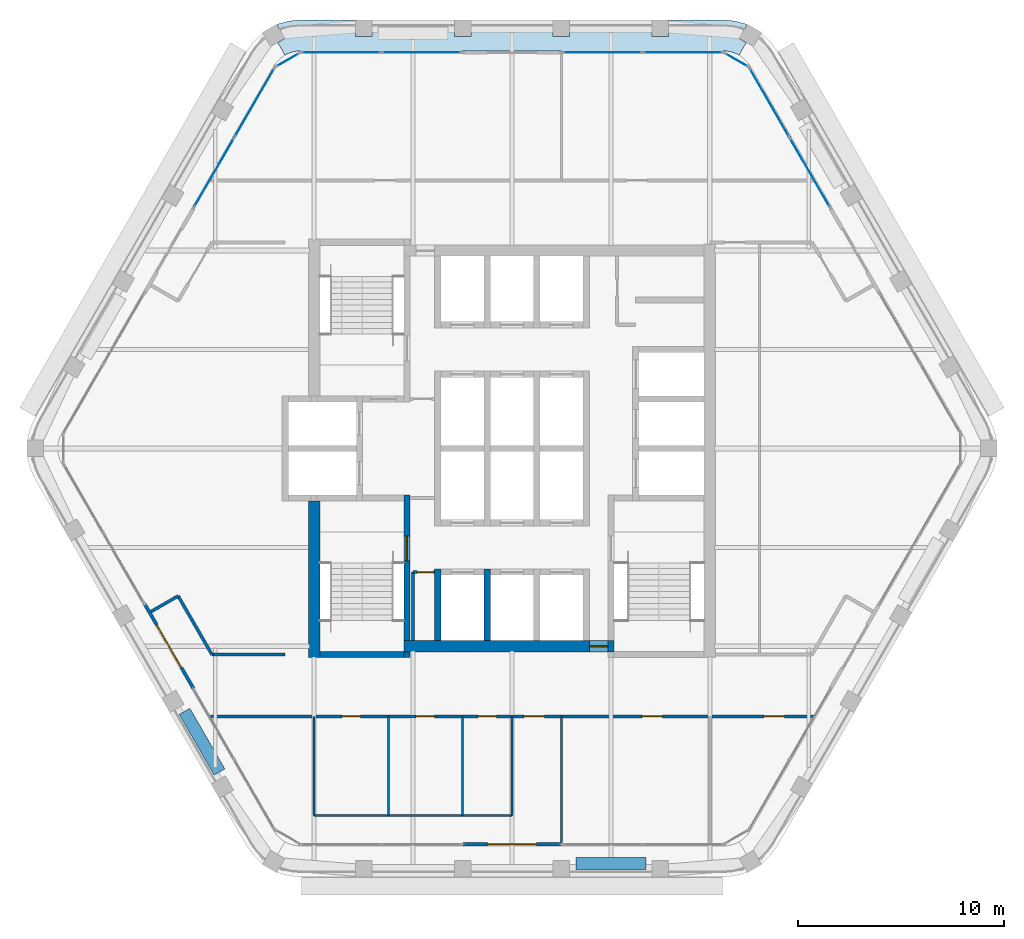
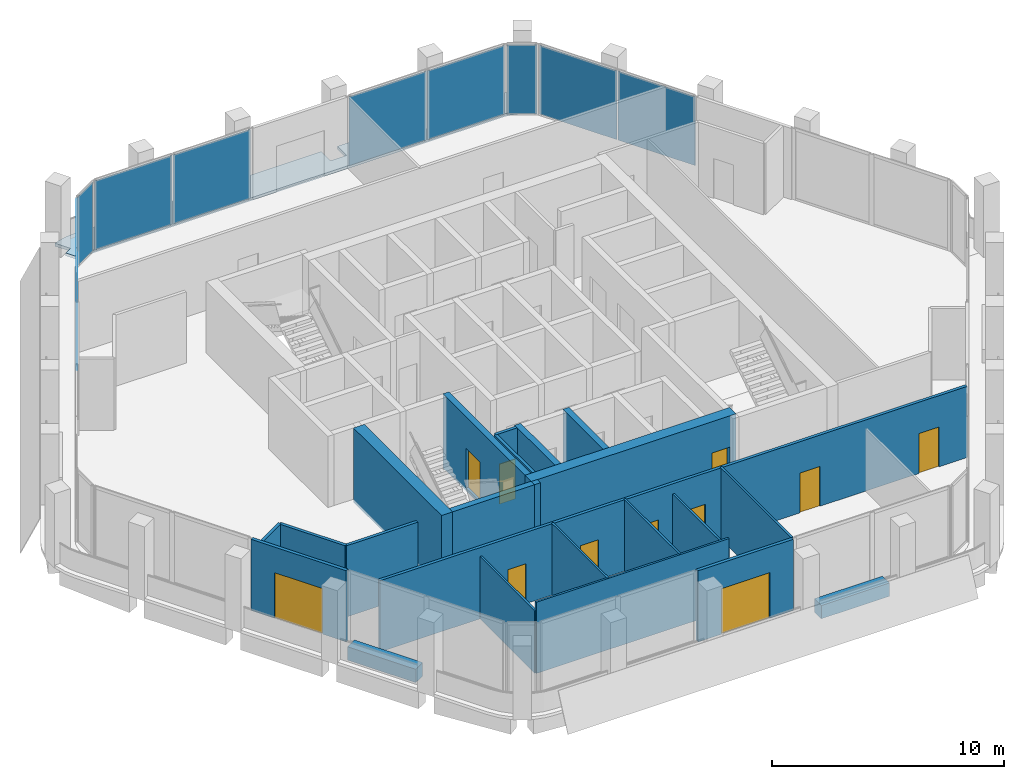
# One storey, part 7 of 13: 23 walls, 11 doors, 10 plates, 1 slab, 11 openings, 6 elements without a shape of their own.
"""IFC4 building model written with IfcOpenShell, lengths in metres."""

from ifc_helpers import new_model, si_unit, direction, frame, frame_2d, origin, origin_2d, place, context, subcontext, project, spatial, polyline, rectangle, outline, extrude, material, layer, layer_set, type_object, element, fill, aggregate, save


model = new_model("IFC4")

# Units and contexts
model_context = context("Model", 3, precision=1e-05, world=origin(), true_north=direction((0.0, 1.0)))
body_context = subcontext(model_context, "Body", "Model", "MODEL_VIEW")
ifc_project = project(units=[si_unit("LENGTHUNIT", "METRE"), si_unit("AREAUNIT", "SQUARE_METRE"), si_unit("VOLUMEUNIT", "CUBIC_METRE"), si_unit("PLANEANGLEUNIT", "RADIAN"), si_unit("MASSUNIT", "GRAM", prefix="KILO")], contexts=[model_context])

# Site, building, storey
site_placement = place(None, origin())
site = spatial("IfcSite", under=ifc_project, at=site_placement, CompositionType="ELEMENT")
building_placement = place(site_placement, origin())
building = spatial("IfcBuilding", under=site, at=building_placement, Name="Kolab Exchange Tower", CompositionType="ELEMENT")
storey_placement = place(building_placement, frame((0.0, 0.0, 277.39990234375)))
storey = spatial("IfcBuildingStorey", under=building, at=storey_placement, Name="L62", CompositionType="ELEMENT", Elevation=277.39990234375)

# Slab
ifc_material_1 = material(Name="Concrete C35/45", Category="concrete")
ifc_layer_1 = layer(ifc_material_1, 0.14990234375)
ifc_layer_set_1 = layer_set([ifc_layer_1], Name="Concrete C35/45")
slab_type = type_object("IfcSlabType", Name="LOGGIA SLAB 150", PredefinedType="FLOOR", material=ifc_layer_set_1)
slab_placement = place(storey_placement, frame((0.0, 0.0, -0.14990234375)))
element("IfcSlab", 1, at=slab_placement, inside=storey, type_object=slab_type, Name="slab/L62/loggia/0-0", PredefinedType="FLOOR", context=body_context, shape_type="SweptSolid", body=[
    extrude(outline(polyline([(11.01806640625, 19.083740234375), (11.367919921875, 19.68994140625), (11.021484375, 19.889892578125), (11.404052734375, 20.552490234375), (11.2939453125, 20.603759765625), (10.788818359375, 20.739013671875), (10.26806640625, 20.78466796875), (7.60009765625, 20.78466796875), (7.60009765625, 19.984619140625), (6.800048828125, 19.984619140625), (6.800048828125, 20.78466796875), (2.800048828125, 20.78466796875), (2.800048828125, 19.984619140625), (2.0, 19.984619140625), (2.0, 20.78466796875), (-2.0, 20.78466796875), (-2.0, 19.984619140625), (-2.800048828125, 19.984619140625), (-2.800048828125, 20.78466796875), (-6.800048828125, 20.78466796875), (-6.800048828125, 19.984619140625), (-7.60009765625, 19.984619140625), (-7.60009765625, 20.78466796875), (-10.26806640625, 20.78466796875), (-10.788818359375, 20.739013671875), (-11.2939453125, 20.603759765625), (-11.404052734375, 20.552490234375), (-11.021484375, 19.889892578125), (-11.367919921875, 19.68994140625), (-11.01806640625, 19.083740234375), (-10.781005859375, 19.194091796875), (-10.5283203125, 19.26171875), (-10.26806640625, 19.28466796875), (10.26806640625, 19.28466796875), (10.5283203125, 19.26171875), (10.781005859375, 19.194091796875), (11.01806640625, 19.083740234375)])), origin(), (0.0, 0.0, 1.0), 0.14990234375),
])

# Curtain wall, plates
ifc_material_2 = material(Name="Aluminium EN AW-6063 T6", Category="aluminium")
curtain_wall_type = type_object("IfcCurtainWallType", Name="UNITISED HIGH ZONE CURTAIN WALL", PredefinedType="NOTDEFINED", material=ifc_material_2)
curtain_wall_1_placement = place(storey_placement, origin())
curtain_wall_1 = element("IfcCurtainWall", 2, at=curtain_wall_1_placement, inside=storey, type_object=curtain_wall_type, Name="cw/L62/F1-1", PredefinedType="NOTDEFINED")
ifc_material_3 = material(Name="Clear insulated glazing unit", Category="glass")
ifc_layer_2 = layer(ifc_material_3, 0.030029296875)
ifc_layer_set_2 = layer_set([ifc_layer_2], Name="Clear insulated glazing unit")
plate_type = type_object("IfcPlateType", Name="UNITISED HIGH ZONE GLASS PANEL 30", PredefinedType="CURTAIN_PANEL", material=ifc_layer_set_2)
plate_1_placement = place(storey_placement, frame((-8.285888671875, 19.20458984375, 0.06005859375), z_axis=(0.0, 0.0, 1.0), x_axis=(1.0, 0.0, 0.0)))
plate_1 = element("IfcPlate", 3, at=plate_1_placement, type_object=plate_type, Name="CW4 panel 1.1", PredefinedType="CURTAIN_PANEL", context=body_context, shape_type="SweptSolid", body=[
    extrude(rectangle(XDim=3.843994140625, YDim=0.030029296875, at=origin_2d()), origin(), (0.0, 0.0, 1.0), 3.6298828125),
])
plate_2_placement = place(storey_placement, frame((-4.382080078125, 19.20458984375, 0.06005859375), z_axis=(0.0, 0.0, 1.0), x_axis=(1.0, 0.0, 0.0)))
plate_2 = element("IfcPlate", 4, at=plate_2_placement, type_object=plate_type, Name="CW4 panel 2.1", PredefinedType="CURTAIN_PANEL", context=body_context, shape_type="SweptSolid", body=[
    extrude(rectangle(XDim=3.843994140625, YDim=0.030029296875, at=origin_2d()), origin(), (0.0, 0.0, 1.0), 3.6298828125),
])
aggregate(curtain_wall_1, [plate_1, plate_2])

curtain_wall_2_placement = place(storey_placement, origin())
curtain_wall_2 = element("IfcCurtainWall", 5, at=curtain_wall_2_placement, inside=storey, type_object=curtain_wall_type, Name="cw/L62/F1-2", PredefinedType="NOTDEFINED")
plate_3_placement = place(storey_placement, frame((4.382080078125, 19.20458984375, 0.06005859375), z_axis=(0.0, 0.0, 1.0), x_axis=(1.0, 0.0, 0.0)))
plate_3 = element("IfcPlate", 6, at=plate_3_placement, type_object=plate_type, Name="CW4 panel 1.1", PredefinedType="CURTAIN_PANEL", context=body_context, shape_type="SweptSolid", body=[
    extrude(rectangle(XDim=3.843994140625, YDim=0.030029296875, at=origin_2d()), origin(), (0.0, 0.0, 1.0), 3.6298828125),
])
plate_4_placement = place(storey_placement, frame((8.285888671875, 19.20458984375, 0.06005859375), z_axis=(0.0, 0.0, 1.0), x_axis=(1.0, 0.0, 0.0)))
plate_4 = element("IfcPlate", 7, at=plate_4_placement, type_object=plate_type, Name="CW4 panel 2.1", PredefinedType="CURTAIN_PANEL", context=body_context, shape_type="SweptSolid", body=[
    extrude(rectangle(XDim=3.843994140625, YDim=0.030029296875, at=origin_2d()), origin(), (0.0, 0.0, 1.0), 3.6298828125),
])
aggregate(curtain_wall_2, [plate_3, plate_4])

curtain_wall_3_placement = place(storey_placement, origin())
curtain_wall_3 = element("IfcCurtainWall", 8, at=curtain_wall_3_placement, inside=storey, type_object=curtain_wall_type, Name="cw/L62/F2-1", PredefinedType="NOTDEFINED")
plate_5_placement = place(storey_placement, frame((12.48876953125, 16.778076171875, 0.06005859375), z_axis=(0.0, 0.0, 1.0), x_axis=(0.500000031681, -0.866025385493, 0.0)))
plate_5 = element("IfcPlate", 9, at=plate_5_placement, type_object=plate_type, Name="CW4 panel 1.1", PredefinedType="CURTAIN_PANEL", context=body_context, shape_type="SweptSolid", body=[
    extrude(rectangle(XDim=3.843994140625, YDim=0.030029296875, at=origin_2d()), origin(), (0.0, 0.0, 1.0), 3.6298828125),
])
plate_6_placement = place(storey_placement, frame((14.440673828125, 13.397216796875, 0.06005859375), z_axis=(0.0, 0.0, 1.0), x_axis=(0.500000031681, -0.866025385493, 0.0)))
plate_6 = element("IfcPlate", 10, at=plate_6_placement, type_object=plate_type, Name="CW4 panel 2.1", PredefinedType="CURTAIN_PANEL", context=body_context, shape_type="SweptSolid", body=[
    extrude(rectangle(XDim=3.843994140625, YDim=0.030029296875, at=origin_2d()), origin(), (0.0, 0.0, 1.0), 3.6298828125),
])
aggregate(curtain_wall_3, [plate_5, plate_6])

curtain_wall_4_placement = place(storey_placement, origin())
curtain_wall_4 = element("IfcCurtainWall", 11, at=curtain_wall_4_placement, inside=storey, type_object=curtain_wall_type, Name="cw/L62/F6-2", PredefinedType="NOTDEFINED")
plate_7_placement = place(storey_placement, frame((-14.440673828125, 13.397216796875, 0.06005859375), z_axis=(0.0, 0.0, 1.0), x_axis=(0.500000031681, 0.866025385493, 0.0)))
plate_7 = element("IfcPlate", 12, at=plate_7_placement, type_object=plate_type, Name="CW4 panel 1.1", PredefinedType="CURTAIN_PANEL", context=body_context, shape_type="SweptSolid", body=[
    extrude(rectangle(XDim=3.843994140625, YDim=0.030029296875, at=origin_2d()), origin(), (0.0, 0.0, 1.0), 3.6298828125),
])
plate_8_placement = place(storey_placement, frame((-12.48876953125, 16.778076171875, 0.06005859375), z_axis=(0.0, 0.0, 1.0), x_axis=(0.500000031681, 0.866025385493, 0.0)))
plate_8 = element("IfcPlate", 13, at=plate_8_placement, type_object=plate_type, Name="CW4 panel 2.1", PredefinedType="CURTAIN_PANEL", context=body_context, shape_type="SweptSolid", body=[
    extrude(rectangle(XDim=3.843994140625, YDim=0.030029296875, at=origin_2d()), origin(), (0.0, 0.0, 1.0), 3.6298828125),
])
aggregate(curtain_wall_4, [plate_7, plate_8])

# Curtain wall, plate
curtain_wall_5_placement = place(storey_placement, origin())
curtain_wall_5 = element("IfcCurtainWall", 14, at=curtain_wall_5_placement, inside=storey, type_object=curtain_wall_type, Name="cw/L62/F1F2-corner", PredefinedType="NOTDEFINED")
plate_9_placement = place(storey_placement, frame((10.8828125, 18.849609375, 0.06005859375), z_axis=(0.0, 0.0, 1.0), x_axis=(0.866025390869, -0.50000002237, 0.0)))
plate_9 = element("IfcPlate", 15, at=plate_9_placement, type_object=plate_type, Name="CW4 panel 1.1", PredefinedType="CURTAIN_PANEL", context=body_context, shape_type="SweptSolid", body=[
    extrude(rectangle(XDim=1.300048828125, YDim=0.030029296875, at=origin_2d()), origin(), (0.0, 0.0, 1.0), 3.6298828125),
])
aggregate(curtain_wall_5, [plate_9])

curtain_wall_6_placement = place(storey_placement, origin())
curtain_wall_6 = element("IfcCurtainWall", 16, at=curtain_wall_6_placement, inside=storey, type_object=curtain_wall_type, Name="cw/L62/F6F1-corner", PredefinedType="NOTDEFINED")
plate_10_placement = place(storey_placement, frame((-10.8828125, 18.849609375, 0.06005859375), z_axis=(0.0, 0.0, 1.0), x_axis=(0.866025390869, 0.50000002237, 0.0)))
plate_10 = element("IfcPlate", 17, at=plate_10_placement, type_object=plate_type, Name="CW4 panel 1.1", PredefinedType="CURTAIN_PANEL", context=body_context, shape_type="SweptSolid", body=[
    extrude(rectangle(XDim=1.300048828125, YDim=0.030029296875, at=origin_2d()), origin(), (0.0, 0.0, 1.0), 3.6298828125),
])
aggregate(curtain_wall_6, [plate_10])

# Wall, opening, door
ifc_material_4 = material(Name="Concrete C50/60", Category="concrete")
ifc_layer_3 = layer(ifc_material_4, 0.550048828125)
ifc_layer_set_3 = layer_set([ifc_layer_3], Name="Concrete C50/60")
wall_type_1 = type_object("IfcWallType", Name="CORE WALL 550 C50/60", PredefinedType="SHEAR", material=ifc_layer_set_3)
wall_1_placement = place(storey_placement, frame((-5.25, -9.60009765625, -0.14990234375), z_axis=(0.0, 0.0, 1.0), x_axis=(1.0, 0.0, 0.0)))
wall_1 = element("IfcWall", 18, at=wall_1_placement, inside=storey, type_object=wall_type_1, Name="wall/L62/core/002", PredefinedType="SHEAR", context=body_context, shape_type="SweptSolid", body=[
    extrude(rectangle(XDim=10.199951171875, YDim=0.550048828125, at=frame_2d((5.10009765625, 0.0))), origin(), (0.0, 0.0, 1.0), 3.89990234375),
])
opening_1_placement = place(wall_1_placement, frame((9.0, 0.0, 0.14990234375)))
opening_1 = element("IfcOpeningElement", 19, at=opening_1_placement, cuts=wall_1, Name="Opening D6-296", PredefinedType="OPENING", context=body_context, shape_type="SweptSolid", body=[
    extrude(rectangle(XDim=0.89990234375, YDim=2.10009765625, at=frame_2d((0.449951171875, 1.050048828125))), frame((0.0, 0.28515625, 0.0), z_axis=(0.0, -1.0, 0.0), x_axis=(1.0, 0.0, 0.0)), (0.0, 0.0, 1.0), 0.570068359375),
])
ifc_material_5 = material(Name="Steel S235", Category="steel")
door_type_1 = type_object("IfcDoorType", Name="CORE DOOR 900 EI 120", OperationType="SINGLE_SWING_LEFT", PredefinedType="DOOR", material=ifc_material_5)
door_1_placement = place(opening_1_placement, origin())
door_1 = element("IfcDoor", 20, at=door_1_placement, inside=storey, type_object=door_type_1, Name="Core lobby door", OperationType="SINGLE_SWING_LEFT", OverallHeight=2.10009765625, OverallWidth=0.89990234375, PredefinedType="DOOR", context=body_context, shape_type="SweptSolid", body=[
    extrude(rectangle(XDim=0.89990234375, YDim=2.10009765625, at=frame_2d((0.449951171875, 1.050048828125))), frame((0.0, 0.02490234375, 0.0), z_axis=(0.0, -1.0, 0.0), x_axis=(1.0, 0.0, 0.0)), (0.0, 0.0, 1.0), 0.050048828125),
])
fill(opening_1, door_1)

# Wall
wall_2_placement = place(storey_placement, frame((-9.60009765625, -10.14990234375, -0.14990234375), z_axis=(0.0, 0.0, 1.0), x_axis=(0.0, 1.0, 0.0)))
element("IfcWall", 21, at=wall_2_placement, inside=storey, type_object=wall_type_1, Name="wall/L62/core/034", PredefinedType="SHEAR", context=body_context, shape_type="SweptSolid", body=[
    extrude(rectangle(XDim=7.599853515625, YDim=0.550048828125, at=frame_2d((3.7998046875, 0.0))), origin(), (0.0, 0.0, 1.0), 3.89990234375),
])

# Wall, opening, door
ifc_layer_4 = layer(ifc_material_2, 0.159912109375)
ifc_layer_set_4 = layer_set([ifc_layer_4], Name="Aluminium EN AW-6063 T6")
wall_type_2 = type_object("IfcWallType", Name="DOOR SURROUND WALL 160 ALUMINIUM FRAMED", PredefinedType="PARTITIONING", material=ifc_layer_set_4)
wall_3_placement = place(storey_placement, frame((2.3701171875, -19.20458984375, 0.0), z_axis=(0.0, 0.0, 1.0), x_axis=(-1.0, 0.0, 0.0)))
wall_3 = element("IfcWall", 22, at=wall_3_placement, inside=storey, type_object=wall_type_2, Name="Door surround wall", PredefinedType="PARTITIONING", context=body_context, shape_type="SweptSolid", body=[
    extrude(rectangle(XDim=4.740234375, YDim=0.159912109375, at=frame_2d((2.3701171875, 0.0))), origin(), (0.0, 0.0, 1.0), 3.75),
])
opening_2_placement = place(wall_3_placement, frame((1.169921875, 0.0, 0.0)))
opening_2 = element("IfcOpeningElement", 23, at=opening_2_placement, cuts=wall_3, Name="Opening GD1-092", PredefinedType="OPENING", context=body_context, shape_type="SweptSolid", body=[
    extrude(rectangle(XDim=2.39990234375, YDim=2.39990234375, at=frame_2d((1.199951171875, 1.199951171875))), frame((0.0, 0.08984375, 0.0), z_axis=(0.0, -1.0, 0.0), x_axis=(1.0, 0.0, 0.0)), (0.0, 0.0, 1.0), 0.179931640625),
])
door_type_2 = type_object("IfcDoorType", Name="LOGGIA SLIDING GLASS DOOR 2400 X 2400", OperationType="DOUBLE_DOOR_SINGLE_SWING", PredefinedType="DOOR", material=ifc_material_2)
door_2_placement = place(opening_2_placement, origin())
door_2 = element("IfcDoor", 24, at=door_2_placement, inside=storey, type_object=door_type_2, Name="Loggia door", OperationType="DOUBLE_DOOR_SLIDING", OverallHeight=2.39990234375, OverallWidth=2.39990234375, PredefinedType="DOOR", context=body_context, shape_type="SweptSolid", body=[
    extrude(rectangle(XDim=2.39990234375, YDim=2.39990234375, at=frame_2d((1.199951171875, 1.199951171875))), frame((0.0, 0.02490234375, 0.0), z_axis=(0.0, -1.0, 0.0), x_axis=(1.0, 0.0, 0.0)), (0.0, 0.0, 1.0), 0.050048828125),
])
fill(opening_2, door_2)

wall_4_placement = place(storey_placement, frame((-15.44677734375, -11.65478515625, 0.0), z_axis=(0.0, 0.0, 1.0), x_axis=(-0.499978080042, 0.866038058908, 0.0)))
wall_4 = element("IfcWall", 25, at=wall_4_placement, inside=storey, type_object=wall_type_2, Name="Door surround wall", PredefinedType="PARTITIONING", context=body_context, shape_type="SweptSolid", body=[
    extrude(rectangle(XDim=4.739990234375, YDim=0.159912109375, at=frame_2d((2.3701171875, 0.0))), origin(), (0.0, 0.0, 1.0), 3.75),
])
opening_3_placement = place(wall_4_placement, frame((1.169921875, 0.0, 0.0)))
opening_3 = element("IfcOpeningElement", 26, at=opening_3_placement, cuts=wall_4, Name="Opening GD1-093", PredefinedType="OPENING", context=body_context, shape_type="SweptSolid", body=[
    extrude(rectangle(XDim=2.39990234375, YDim=2.39990234375, at=frame_2d((1.199951171875, 1.199951171875))), frame((0.0, 0.08984375, 0.0), z_axis=(0.0, -1.0, 0.0), x_axis=(1.0, 0.0, 0.0)), (0.0, 0.0, 1.0), 0.179931640625),
])
door_3_placement = place(opening_3_placement, origin())
door_3 = element("IfcDoor", 27, at=door_3_placement, inside=storey, type_object=door_type_2, Name="Loggia door", OperationType="DOUBLE_DOOR_SLIDING", OverallHeight=2.39990234375, OverallWidth=2.39990234375, PredefinedType="DOOR", context=body_context, shape_type="SweptSolid", body=[
    extrude(rectangle(XDim=2.39990234375, YDim=2.39990234375, at=frame_2d((1.199951171875, 1.199951171875))), frame((0.0, 0.02490234375, 0.0), z_axis=(0.0, -1.0, 0.0), x_axis=(1.0, 0.0, 0.0)), (0.0, 0.0, 1.0), 0.050048828125),
])
fill(opening_3, door_3)

# Walls
ifc_layer_5 = layer(ifc_material_4, 0.300048828125)
ifc_layer_set_5 = layer_set([ifc_layer_5], Name="Concrete C50/60")
wall_type_3 = type_object("IfcWallType", Name="LIFT SHAFT WALL 300 C50/60", PredefinedType="STANDARD", material=ifc_layer_set_5)
for number, where, z_axis, x_axis, name in (
    (28, (-3.60009765625, -9.324951171875, -0.14990234375), (0.0, 0.0, 1.0), (0.0, 1.0, 0.0), "wall/L62/core/043"),
    (29, (-1.199951171875, -9.324951171875, -0.14990234375), (0.0, 0.0, 1.0), (0.0, 1.0, 0.0), "wall/L62/core/046"),
):
    element("IfcWall", number, at=place(storey_placement, frame(where, z_axis=z_axis, x_axis=x_axis)), inside=storey, type_object=wall_type_3, Name=name, PredefinedType="STANDARD", context=body_context, shape_type="SweptSolid", body=[
        extrude(rectangle(XDim=3.474853515625, YDim=0.300048828125, at=frame_2d((1.7373046875, 0.0))), origin(), (0.0, 0.0, 1.0), 3.89990234375),
    ])
ifc_material_6 = material(Name="Gypsum board", Category="gypsum")
ifc_layer_6 = layer(ifc_material_6, 0.10009765625)
ifc_layer_set_6 = layer_set([ifc_layer_6], Name="Gypsum board")
wall_type_4 = type_object("IfcWallType", Name="PARTITION 100", PredefinedType="PARTITIONING", material=ifc_layer_set_6)
wall_5_placement = place(storey_placement, frame((2.39990234375, -19.12451171875, 0.0), z_axis=(0.0, 0.0, 1.0), x_axis=(0.0, 1.0, 0.0)))
element("IfcWall", 30, at=wall_5_placement, inside=storey, type_object=wall_type_4, Name="Partition 003", PredefinedType="PARTITIONING", context=body_context, shape_type="SweptSolid", body=[
    extrude(rectangle(XDim=6.12451171875, YDim=0.10009765625, at=frame_2d((3.062255859375, 0.0))), origin(), (0.0, 0.0, 1.0), 3.75),
])
wall_6_placement = place(storey_placement, frame((0.0, -17.800048828125, 0.0), z_axis=(0.0, 0.0, 1.0), x_axis=(0.0, 1.0, 0.0)))
element("IfcWall", 31, at=wall_6_placement, inside=storey, type_object=wall_type_4, Name="Partition 005", PredefinedType="PARTITIONING", context=body_context, shape_type="SweptSolid", body=[
    extrude(rectangle(XDim=4.800048828125, YDim=0.10009765625, at=frame_2d((2.39990234375, 0.0))), origin(), (0.0, 0.0, 1.0), 3.217041015625),
])
for number, where, z_axis, x_axis, name in (
    (32, (-2.39990234375, -17.800048828125, 0.0), (0.0, 0.0, 1.0), (0.0, 1.0, 0.0), "Partition 006"),
    (33, (-6.0, -17.800048828125, 0.0), (0.0, 0.0, 1.0), (0.0, 1.0, 0.0), "Partition 008"),
):
    element("IfcWall", number, at=place(storey_placement, frame(where, z_axis=z_axis, x_axis=x_axis)), inside=storey, type_object=wall_type_4, Name=name, PredefinedType="PARTITIONING", context=body_context, shape_type="SweptSolid", body=[
        extrude(rectangle(XDim=4.800048828125, YDim=0.10009765625, at=frame_2d((2.39990234375, 0.0))), origin(), (0.0, 0.0, 1.0), 3.75),
    ])
wall_7_placement = place(storey_placement, frame((-9.60009765625, -17.800048828125, 0.0), z_axis=(0.0, 0.0, 1.0), x_axis=(0.0, 1.0, 0.0)))
element("IfcWall", 34, at=wall_7_placement, inside=storey, type_object=wall_type_4, Name="Partition 009", PredefinedType="PARTITIONING", context=body_context, shape_type="SweptSolid", body=[
    extrude(rectangle(XDim=4.800048828125, YDim=0.10009765625, at=frame_2d((2.39990234375, 0.0))), origin(), (0.0, 0.0, 1.0), 3.293212890625),
])
wall_8_placement = place(storey_placement, frame((-9.60009765625, -17.800048828125, 0.0), z_axis=(0.0, 0.0, 1.0), x_axis=(1.0, 0.0, 0.0)))
element("IfcWall", 35, at=wall_8_placement, inside=storey, type_object=wall_type_4, Name="Partition 018", PredefinedType="PARTITIONING", context=body_context, shape_type="SweptSolid", body=[
    extrude(rectangle(XDim=9.60009765625, YDim=0.10009765625, at=frame_2d((4.800048828125, 0.0))), origin(), (0.0, 0.0, 1.0), 3.75),
])
ifc_layer_7 = layer(ifc_material_6, 0.14990234375)
ifc_layer_set_7 = layer_set([ifc_layer_7], Name="Gypsum board")
wall_type_5 = type_object("IfcWallType", Name="PARTITION 150 FIRE-RATED", PredefinedType="PARTITIONING", material=ifc_layer_set_7)
wall_9_placement = place(storey_placement, frame((-4.800048828125, -9.324951171875, 0.0), z_axis=(0.0, 0.0, 1.0), x_axis=(0.0, 1.0, 0.0)))
element("IfcWall", 36, at=wall_9_placement, inside=storey, type_object=wall_type_5, Name="Partition 007", PredefinedType="PARTITIONING", context=body_context, shape_type="SweptSolid", body=[
    extrude(rectangle(XDim=3.324951171875, YDim=0.14990234375, at=frame_2d((1.66259765625, 0.0))), origin(), (0.0, 0.0, 1.0), 3.75),
])
wall_10_placement = place(storey_placement, frame((-16.196044921875, -7.15673828125, 0.0), z_axis=(0.0, 0.0, 1.0), x_axis=(0.499954196102, -0.866051847062, 0.0)))
element("IfcWall", 37, at=wall_10_placement, inside=storey, type_object=wall_type_5, Name="Partition 010", PredefinedType="PARTITIONING", context=body_context, shape_type="SweptSolid", body=[
    extrude(rectangle(XDim=3.282958984375, YDim=0.14990234375, at=frame_2d((1.6416015625, 0.0))), origin(), (0.0, 0.0, 1.0), 3.75),
])
wall_11_placement = place(storey_placement, frame((-17.512451171875, -7.9169921875, 0.0), z_axis=(0.0, 0.0, 1.0), x_axis=(0.865960906633, 0.500111695708, 0.0)))
element("IfcWall", 38, at=wall_11_placement, inside=storey, type_object=wall_type_5, Name="Partition 017", PredefinedType="PARTITIONING", context=body_context, shape_type="SweptSolid", body=[
    extrude(rectangle(XDim=1.520263671875, YDim=0.14990234375, at=frame_2d((0.76025390625, 0.0))), origin(), (0.0, 0.0, 1.0), 3.75),
])

# Wall, openings, doors
wall_12_placement = place(storey_placement, frame((-14.623779296875, -13.0, 0.0), z_axis=(0.0, 0.0, 1.0), x_axis=(1.0, 0.0, 0.0)))
wall_12 = element("IfcWall", 39, at=wall_12_placement, inside=storey, type_object=wall_type_5, Name="Partition 019", PredefinedType="PARTITIONING", context=body_context, shape_type="SweptSolid", body=[
    extrude(rectangle(XDim=29.24755859375, YDim=0.14990234375, at=frame_2d((14.623779296875, 0.0))), origin(), (0.0, 0.0, 1.0), 3.75),
])
opening_4_placement = place(wall_12_placement, frame((6.373779296875, 0.0, 0.0)))
opening_4 = element("IfcOpeningElement", 40, at=opening_4_placement, cuts=wall_12, Name="Opening D3-088", PredefinedType="OPENING", context=body_context, shape_type="SweptSolid", body=[
    extrude(rectangle(XDim=0.89990234375, YDim=2.10009765625, at=frame_2d((0.449951171875, 1.050048828125))), frame((0.0, 0.0849609375, 0.0), z_axis=(0.0, -1.0, 0.0), x_axis=(1.0, 0.0, 0.0)), (0.0, 0.0, 1.0), 0.169921875),
])
opening_5_placement = place(wall_12_placement, frame((9.973876953125, 0.0, 0.0)))
opening_5 = element("IfcOpeningElement", 41, at=opening_5_placement, cuts=wall_12, Name="Opening D3-089", PredefinedType="OPENING", context=body_context, shape_type="SweptSolid", body=[
    extrude(rectangle(XDim=0.89990234375, YDim=2.10009765625, at=frame_2d((0.449951171875, 1.050048828125))), frame((0.0, 0.0849609375, 0.0), z_axis=(0.0, -1.0, 0.0), x_axis=(1.0, 0.0, 0.0)), (0.0, 0.0, 1.0), 0.169921875),
])
opening_6_placement = place(wall_12_placement, frame((12.973876953125, 0.0, 0.0)))
opening_6 = element("IfcOpeningElement", 42, at=opening_6_placement, cuts=wall_12, Name="Opening D3-090", PredefinedType="OPENING", context=body_context, shape_type="SweptSolid", body=[
    extrude(rectangle(XDim=0.89990234375, YDim=2.10009765625, at=frame_2d((0.449951171875, 1.050048828125))), frame((0.0, 0.0849609375, 0.0), z_axis=(0.0, -1.0, 0.0), x_axis=(1.0, 0.0, 0.0)), (0.0, 0.0, 1.0), 0.169921875),
])
opening_7_placement = place(wall_12_placement, frame((15.19873046875, 0.0, 0.0)))
opening_7 = element("IfcOpeningElement", 43, at=opening_7_placement, cuts=wall_12, Name="Opening D1-734", PredefinedType="OPENING", context=body_context, shape_type="SweptSolid", body=[
    extrude(rectangle(XDim=1.0, YDim=2.10009765625, at=frame_2d((0.5, 1.050048828125))), frame((0.0, 0.0849609375, 0.0), z_axis=(0.0, -1.0, 0.0), x_axis=(1.0, 0.0, 0.0)), (0.0, 0.0, 1.0), 0.169921875),
])
opening_8_placement = place(wall_12_placement, frame((20.918701171875, 0.0, 0.0)))
opening_8 = element("IfcOpeningElement", 44, at=opening_8_placement, cuts=wall_12, Name="Opening D1-735", PredefinedType="OPENING", context=body_context, shape_type="SweptSolid", body=[
    extrude(rectangle(XDim=1.0, YDim=2.10009765625, at=frame_2d((0.5, 1.050048828125))), frame((0.0, 0.0849609375, 0.0), z_axis=(0.0, -1.0, 0.0), x_axis=(1.0, 0.0, 0.0)), (0.0, 0.0, 1.0), 0.169921875),
])
opening_9_placement = place(wall_12_placement, frame((26.83935546875, 0.0, 0.0)))
opening_9 = element("IfcOpeningElement", 45, at=opening_9_placement, cuts=wall_12, Name="Opening D1-736", PredefinedType="OPENING", context=body_context, shape_type="SweptSolid", body=[
    extrude(rectangle(XDim=1.0, YDim=2.10009765625, at=frame_2d((0.5, 1.050048828125))), frame((0.0, 0.0849609375, 0.0), z_axis=(0.0, -1.0, 0.0), x_axis=(1.0, 0.0, 0.0)), (0.0, 0.0, 1.0), 0.169921875),
])
door_type_3 = type_object("IfcDoorType", Name="FLUSH DOOR 1000 FD60", OperationType="SINGLE_SWING_LEFT", PredefinedType="DOOR", material=ifc_material_5)
door_4_placement = place(opening_7_placement, frame((1.0, 0.0, 0.0), z_axis=(0.0, 0.0, 1.0), x_axis=(-1.0, 0.0, 0.0)))
door_4 = element("IfcDoor", 46, at=door_4_placement, inside=storey, type_object=door_type_3, Name="Door L62-034", OperationType="SINGLE_SWING_LEFT", OverallHeight=2.10009765625, OverallWidth=1.0, PredefinedType="DOOR", context=body_context, shape_type="SweptSolid", body=[
    extrude(rectangle(XDim=1.0, YDim=2.10009765625, at=frame_2d((0.5, 1.050048828125))), frame((0.0, 0.02490234375, 0.0), z_axis=(0.0, -1.0, 0.0), x_axis=(1.0, 0.0, 0.0)), (0.0, 0.0, 1.0), 0.050048828125),
])
fill(opening_7, door_4)
door_5_placement = place(opening_8_placement, frame((1.0, 0.0, 0.0), z_axis=(0.0, 0.0, 1.0), x_axis=(-1.0, 0.0, 0.0)))
door_5 = element("IfcDoor", 47, at=door_5_placement, inside=storey, type_object=door_type_3, Name="Door L62-035", OperationType="SINGLE_SWING_RIGHT", OverallHeight=2.10009765625, OverallWidth=1.0, PredefinedType="DOOR", context=body_context, shape_type="SweptSolid", body=[
    extrude(rectangle(XDim=1.0, YDim=2.10009765625, at=frame_2d((0.5, 1.050048828125))), frame((0.0, 0.02490234375, 0.0), z_axis=(0.0, -1.0, 0.0), x_axis=(1.0, 0.0, 0.0)), (0.0, 0.0, 1.0), 0.050048828125),
])
fill(opening_8, door_5)
door_6_placement = place(opening_9_placement, frame((1.0, 0.0, 0.0), z_axis=(0.0, 0.0, 1.0), x_axis=(-1.0, 0.0, 0.0)))
door_6 = element("IfcDoor", 48, at=door_6_placement, inside=storey, type_object=door_type_3, Name="Door L62-036", OperationType="SINGLE_SWING_RIGHT", OverallHeight=2.10009765625, OverallWidth=1.0, PredefinedType="DOOR", context=body_context, shape_type="SweptSolid", body=[
    extrude(rectangle(XDim=1.0, YDim=2.10009765625, at=frame_2d((0.5, 1.050048828125))), frame((0.0, 0.02490234375, 0.0), z_axis=(0.0, -1.0, 0.0), x_axis=(1.0, 0.0, 0.0)), (0.0, 0.0, 1.0), 0.050048828125),
])
fill(opening_9, door_6)
door_type_4 = type_object("IfcDoorType", Name="FLUSH DOOR 900 FD60", OperationType="SINGLE_SWING_LEFT", PredefinedType="DOOR", material=ifc_material_5)
door_7_placement = place(opening_4_placement, frame((0.89990234375, 0.0, 0.0), z_axis=(0.0, 0.0, 1.0), x_axis=(-1.0, 0.0, 0.0)))
door_7 = element("IfcDoor", 49, at=door_7_placement, inside=storey, type_object=door_type_4, Name="Door L62-031", OperationType="SINGLE_SWING_RIGHT", OverallHeight=2.10009765625, OverallWidth=0.89990234375, PredefinedType="DOOR", context=body_context, shape_type="SweptSolid", body=[
    extrude(rectangle(XDim=0.89990234375, YDim=2.10009765625, at=frame_2d((0.449951171875, 1.050048828125))), frame((0.0, 0.02490234375, 0.0), z_axis=(0.0, -1.0, 0.0), x_axis=(1.0, 0.0, 0.0)), (0.0, 0.0, 1.0), 0.050048828125),
])
fill(opening_4, door_7)
door_8_placement = place(opening_5_placement, frame((0.89990234375, 0.0, 0.0), z_axis=(0.0, 0.0, 1.0), x_axis=(-1.0, 0.0, 0.0)))
door_8 = element("IfcDoor", 50, at=door_8_placement, inside=storey, type_object=door_type_4, Name="Door L62-032", OperationType="SINGLE_SWING_RIGHT", OverallHeight=2.10009765625, OverallWidth=0.89990234375, PredefinedType="DOOR", context=body_context, shape_type="SweptSolid", body=[
    extrude(rectangle(XDim=0.89990234375, YDim=2.10009765625, at=frame_2d((0.449951171875, 1.050048828125))), frame((0.0, 0.02490234375, 0.0), z_axis=(0.0, -1.0, 0.0), x_axis=(1.0, 0.0, 0.0)), (0.0, 0.0, 1.0), 0.050048828125),
])
fill(opening_5, door_8)
door_9_placement = place(opening_6_placement, frame((0.89990234375, 0.0, 0.0), z_axis=(0.0, 0.0, 1.0), x_axis=(-1.0, 0.0, 0.0)))
door_9 = element("IfcDoor", 51, at=door_9_placement, inside=storey, type_object=door_type_4, Name="Door L62-033", OperationType="SINGLE_SWING_RIGHT", OverallHeight=2.10009765625, OverallWidth=0.89990234375, PredefinedType="DOOR", context=body_context, shape_type="SweptSolid", body=[
    extrude(rectangle(XDim=0.89990234375, YDim=2.10009765625, at=frame_2d((0.449951171875, 1.050048828125))), frame((0.0, 0.02490234375, 0.0), z_axis=(0.0, -1.0, 0.0), x_axis=(1.0, 0.0, 0.0)), (0.0, 0.0, 1.0), 0.050048828125),
])
fill(opening_6, door_9)

# Wall
wall_13_placement = place(storey_placement, frame((-14.5546875, -10.0, 0.0), z_axis=(0.0, 0.0, 1.0), x_axis=(1.0, 0.0, 0.0)))
element("IfcWall", 52, at=wall_13_placement, inside=storey, type_object=wall_type_5, Name="Partition 020", PredefinedType="PARTITIONING", context=body_context, shape_type="SweptSolid", body=[
    extrude(rectangle(XDim=3.5546875, YDim=0.14990234375, at=frame_2d((1.77734375, 0.0))), origin(), (0.0, 0.0, 1.0), 3.75),
])

# Wall, opening, door
wall_14_placement = place(storey_placement, frame((-4.800048828125, -6.0, 0.0), z_axis=(0.0, 0.0, 1.0), x_axis=(1.0, 0.0, 0.0)))
wall_14 = element("IfcWall", 53, at=wall_14_placement, inside=storey, type_object=wall_type_5, Name="Partition 022", PredefinedType="PARTITIONING", context=body_context, shape_type="SweptSolid", body=[
    extrude(rectangle(XDim=1.050048828125, YDim=0.14990234375, at=frame_2d((0.52490234375, 0.0))), origin(), (0.0, 0.0, 1.0), 3.75),
])
opening_10_placement = place(wall_14_placement, frame((0.199951171875, 0.0, 0.0)))
opening_10 = element("IfcOpeningElement", 54, at=opening_10_placement, cuts=wall_14, Name="Opening D7-034", PredefinedType="OPENING", context=body_context, shape_type="SweptSolid", body=[
    extrude(rectangle(XDim=0.800048828125, YDim=2.10009765625, at=frame_2d((0.39990234375, 1.050048828125))), frame((0.0, 0.0849609375, 0.0), z_axis=(0.0, -1.0, 0.0), x_axis=(1.0, 0.0, 0.0)), (0.0, 0.0, 1.0), 0.169921875),
])
door_type_5 = type_object("IfcDoorType", Name="FLUSH DOOR 800 FD60", OperationType="SINGLE_SWING_LEFT", PredefinedType="DOOR", material=ifc_material_5)
door_10_placement = place(opening_10_placement, frame((0.800048828125, 0.0, 0.0), z_axis=(0.0, 0.0, 1.0), x_axis=(-1.0, 0.0, 0.0)))
door_10 = element("IfcDoor", 55, at=door_10_placement, inside=storey, type_object=door_type_5, Name="Door L62-024", OperationType="SINGLE_SWING_RIGHT", OverallHeight=2.10009765625, OverallWidth=0.800048828125, PredefinedType="DOOR", context=body_context, shape_type="SweptSolid", body=[
    extrude(rectangle(XDim=0.800048828125, YDim=2.10009765625, at=frame_2d((0.39990234375, 1.050048828125))), frame((0.0, 0.02490234375, 0.0), z_axis=(0.0, -1.0, 0.0), x_axis=(1.0, 0.0, 0.0)), (0.0, 0.0, 1.0), 0.050048828125),
])
fill(opening_10, door_10)

# Walls
ifc_material_7 = material(Name="Granite facing", Category="masonry")
ifc_layer_8 = layer(ifc_material_7, 0.0400390625)
ifc_material_8 = material(Name="Concrete C40/50 precast", Category="concrete")
ifc_layer_9 = layer(ifc_material_8, 0.56005859375)
ifc_layer_set_8 = layer_set([ifc_layer_8, ifc_layer_9], Name="Concrete C40/50 precast")
wall_type_6 = type_object("IfcWallType", Name="PLANTER BOX 600 X 700 SOIL DEPTH 550", PredefinedType="USERDEFINED", material=ifc_layer_set_8)
wall_15_placement = place(storey_placement, frame((6.5, -20.134521484375, 0.0), z_axis=(0.0, 0.0, 1.0), x_axis=(-1.0, 0.0, 0.0)))
element("IfcWall", 56, at=wall_15_placement, inside=storey, type_object=wall_type_6, Name="Planter", ObjectType="PLANTER", PredefinedType="USERDEFINED", context=body_context, shape_type="SweptSolid", body=[
    extrude(rectangle(XDim=3.39990234375, YDim=0.60009765625, at=frame_2d((1.699951171875, 0.0))), origin(), (0.0, 0.0, 1.0), 0.7001953125),
])
wall_16_placement = place(storey_placement, frame((-14.18701171875, -15.696533203125, 0.0), z_axis=(0.0, 0.0, 1.0), x_axis=(-0.499977295307, 0.866038511948, 0.0)))
element("IfcWall", 57, at=wall_16_placement, inside=storey, type_object=wall_type_6, Name="Planter", ObjectType="PLANTER", PredefinedType="USERDEFINED", context=body_context, shape_type="SweptSolid", body=[
    extrude(rectangle(XDim=3.400146484375, YDim=0.60009765625, at=frame_2d((1.7001953125, 0.0))), origin(), (0.0, 0.0, 1.0), 0.7001953125),
])
ifc_layer_10 = layer(ifc_material_4, 0.300048828125)
ifc_layer_set_9 = layer_set([ifc_layer_10], Name="Concrete C50/60")
wall_type_7 = type_object("IfcWallType", Name="STAIR ENCLOSURE WALL 300 C50/60", PredefinedType="STANDARD", material=ifc_layer_set_9)
wall_17_placement = place(storey_placement, frame((-9.324951171875, -10.0, -0.14990234375), z_axis=(0.0, 0.0, 1.0), x_axis=(1.0, 0.0, 0.0)))
element("IfcWall", 58, at=wall_17_placement, inside=storey, type_object=wall_type_7, Name="wall/L62/core/000", PredefinedType="STANDARD", context=body_context, shape_type="SweptSolid", body=[
    extrude(rectangle(XDim=4.074951171875, YDim=0.300048828125, at=frame_2d((2.03759765625, 0.0))), origin(), (0.0, 0.0, 1.0), 3.89990234375),
])
wall_18_placement = place(storey_placement, frame((-5.10009765625, -10.14990234375, -0.14990234375), z_axis=(0.0, 0.0, 1.0), x_axis=(0.0, 1.0, 0.0)))
element("IfcWall", 59, at=wall_18_placement, inside=storey, type_object=wall_type_7, Name="wall/L62/core/039", PredefinedType="STANDARD", context=body_context, shape_type="SweptSolid", body=[
    extrude(rectangle(XDim=0.27490234375, YDim=0.300048828125, at=frame_2d((0.137451171875, 0.0))), origin(), (0.0, 0.0, 1.0), 3.89990234375),
])

# Wall, opening, door
wall_19_placement = place(storey_placement, frame((-5.10009765625, -9.324951171875, -0.14990234375), z_axis=(0.0, 0.0, 1.0), x_axis=(0.0, 1.0, 0.0)))
wall_19 = element("IfcWall", 60, at=wall_19_placement, inside=storey, type_object=wall_type_7, Name="wall/L62/core/040", PredefinedType="STANDARD", context=body_context, shape_type="SweptSolid", body=[
    extrude(rectangle(XDim=7.074951171875, YDim=0.300048828125, at=frame_2d((3.53759765625, 0.0))), origin(), (0.0, 0.0, 1.0), 3.89990234375),
])
opening_11_placement = place(wall_19_placement, frame((3.875, 0.0, 0.14990234375)))
opening_11 = element("IfcOpeningElement", 61, at=opening_11_placement, cuts=wall_19, Name="Opening D4-078", PredefinedType="OPENING", context=body_context, shape_type="SweptSolid", body=[
    extrude(rectangle(XDim=1.199951171875, YDim=2.10009765625, at=frame_2d((0.60009765625, 1.050048828125))), frame((0.0, 0.16015625, 0.0), z_axis=(0.0, -1.0, 0.0), x_axis=(1.0, 0.0, 0.0)), (0.0, 0.0, 1.0), 0.320068359375),
])
door_type_6 = type_object("IfcDoorType", Name="STAIR DOOR 1200 EI 120", OperationType="SINGLE_SWING_LEFT", PredefinedType="DOOR", material=ifc_material_5)
door_11_placement = place(opening_11_placement, origin())
door_11 = element("IfcDoor", 62, at=door_11_placement, inside=storey, type_object=door_type_6, Name="Stair 3 door", OperationType="SINGLE_SWING_RIGHT", OverallHeight=2.10009765625, OverallWidth=1.199951171875, PredefinedType="DOOR", context=body_context, shape_type="SweptSolid", body=[
    extrude(rectangle(XDim=1.199951171875, YDim=2.10009765625, at=frame_2d((0.60009765625, 1.050048828125))), frame((0.0, 0.02490234375, 0.0), z_axis=(0.0, -1.0, 0.0), x_axis=(1.0, 0.0, 0.0)), (0.0, 0.0, 1.0), 0.050048828125),
])
fill(opening_11, door_11)

save(model, "model.ifc")
